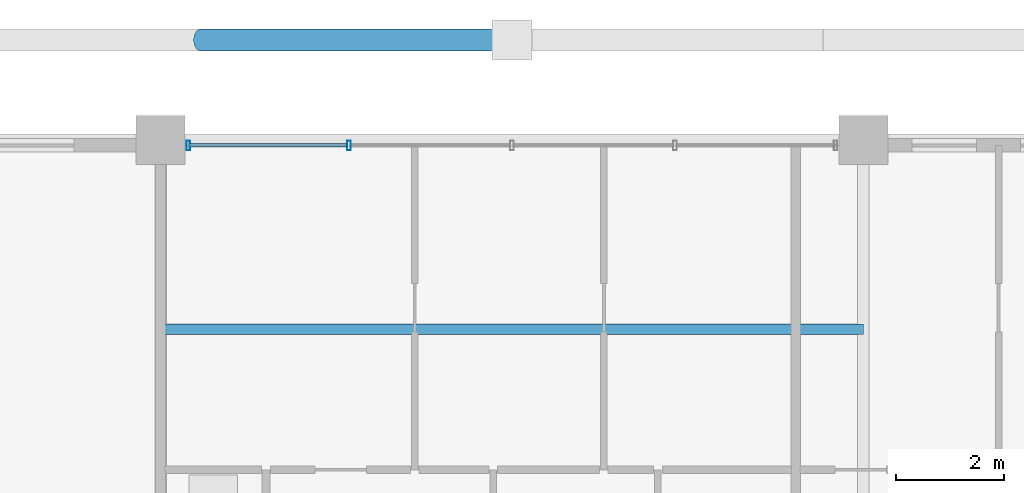
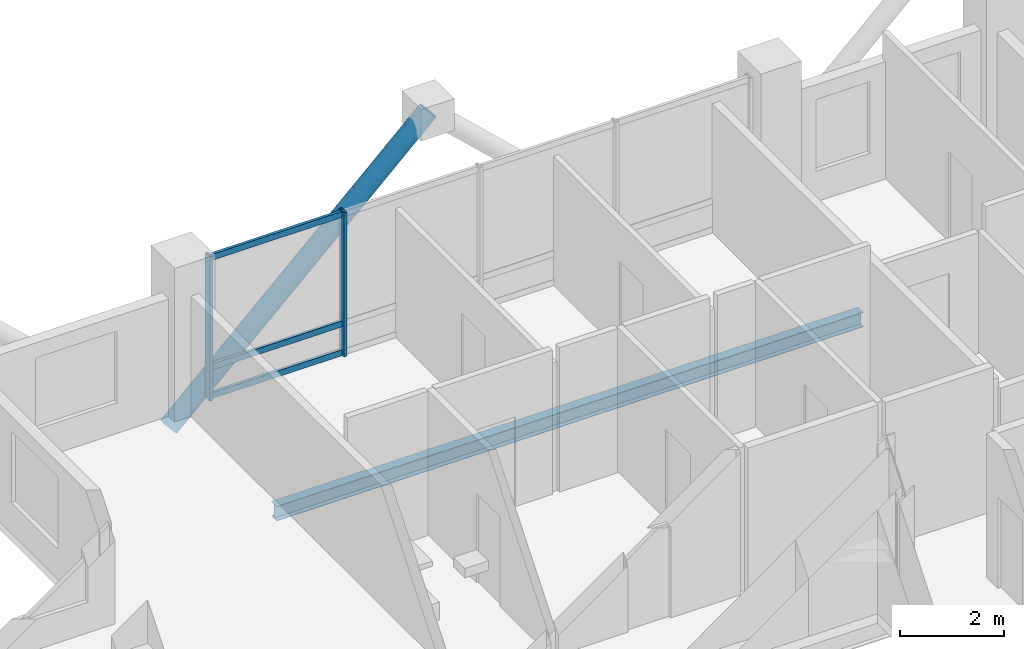
# One storey, part 14 of 23: 6 members, 1 beam, 1 element without a shape of its own.
"""IFC4 building model written with IfcOpenShell, lengths in metres."""

from ifc_helpers import new_model, si_unit, direction, frame, origin, origin_2d, place, context, subcontext, project, spatial, hollow_rectangle, hollow_circle, i_section, extrude, material, layer, layer_set, material_profile, profile_set, type_object, element, aggregate, save


model = new_model("IFC4")

# Units and contexts
model_context = context("Model", 3, precision=1e-05, world=origin(), true_north=direction((0.0, 1.0)))
body_context = subcontext(model_context, "Body", "Model", "MODEL_VIEW")
ifc_project = project(units=[si_unit("LENGTHUNIT", "METRE"), si_unit("AREAUNIT", "SQUARE_METRE"), si_unit("VOLUMEUNIT", "CUBIC_METRE"), si_unit("PLANEANGLEUNIT", "RADIAN"), si_unit("MASSUNIT", "GRAM", prefix="KILO")], contexts=[model_context])

# Site, building, storey
site_placement = place(None, origin())
site = spatial("IfcSite", under=ifc_project, at=site_placement, CompositionType="ELEMENT")
building_placement = place(site_placement, origin())
building = spatial("IfcBuilding", under=site, at=building_placement, Name="Barlavira Tower and Art Museum", CompositionType="ELEMENT")
storey_placement = place(building_placement, frame((0.0, 0.0, 279.89990234375)))
storey = spatial("IfcBuildingStorey", under=building, at=storey_placement, Name="L73", CompositionType="ELEMENT", Elevation=279.89990234375)

# Curtain wall, members
ifc_material_1 = material(Name="Low-iron coastal laminated glass", Category="glass")
ifc_layer = layer(ifc_material_1, 0.2099609375, Name="Low-iron coastal laminated glass")
ifc_layer_set = layer_set([ifc_layer], Name="Low-iron coastal laminated glass")
curtain_wall_type = type_object("IfcCurtainWallType", Name="Pale-Metal Unitised Curtain Wall Zone 4", PredefinedType="NOTDEFINED", material=ifc_layer_set)
curtain_wall_placement = place(storey_placement, origin())
curtain_wall = element("IfcCurtainWall", 1, at=curtain_wall_placement, inside=storey, type_object=curtain_wall_type, Name="L73 Curtain Wall CW4-L73-N-B2", PredefinedType="NOTDEFINED")
ifc_material_2 = material(Name="Pale anodised aluminium", Category="aluminium")
ifc_material_profile_1 = material_profile(ifc_material_2, hollow_rectangle(XDim=0.06494140625, YDim=0.179931640625, WallThickness=0.00390625, at=origin_2d()), Name="ALU-MULL 65x180x4")
ifc_profile_set_1 = profile_set([ifc_material_profile_1], Name="Pale anodised aluminium")
member_type_1 = type_object("IfcMemberType", Name="Curtain Wall Pale-Metal Mullion 65x180", PredefinedType="MULLION", material=ifc_profile_set_1)
member_1_placement = place(storey_placement, frame((-3.014892578125, 19.89990234375, 0.0), z_axis=(0.0, 0.0, 1.0), x_axis=(-1.0, 0.0, 0.0)))
member_1 = element("IfcMember", 2, at=member_1_placement, type_object=member_type_1, Name="CW4-L73-N-B2 Mullion 3", PredefinedType="MULLION", context=body_context, shape_type="SweptSolid", body=[
    extrude(hollow_rectangle(XDim=0.06494140625, YDim=0.179931640625, WallThickness=0.00390625, at=origin_2d()), origin(), (0.0, 0.0, 1.0), 3.380126953125),
])
member_2_placement = place(storey_placement, frame((-5.985107421875, 19.89990234375, 0.0), z_axis=(0.0, 0.0, 1.0), x_axis=(-1.0, 0.0, 0.0)))
member_2 = element("IfcMember", 3, at=member_2_placement, type_object=member_type_1, Name="CW4-L73-N-B2 Mullion 4", PredefinedType="MULLION", context=body_context, shape_type="SweptSolid", body=[
    extrude(hollow_rectangle(XDim=0.06494140625, YDim=0.179931640625, WallThickness=0.00390625, at=origin_2d()), origin(), (0.0, 0.0, 1.0), 3.380126953125),
])
ifc_material_profile_2 = material_profile(ifc_material_2, hollow_rectangle(XDim=0.06494140625, YDim=0.139892578125, WallThickness=0.00390625, at=origin_2d()), Name="ALU-TRAN 65x140x4")
ifc_profile_set_2 = profile_set([ifc_material_profile_2], Name="Pale anodised aluminium")
member_type_2 = type_object("IfcMemberType", Name="Curtain Wall Pale-Metal Transom 65x140", PredefinedType="USERDEFINED", material=ifc_profile_set_2)
member_3_placement = place(storey_placement, frame((-3.06005859375, 19.89990234375, 0.070068359375), z_axis=(-1.0, 0.0, 0.0), x_axis=(0.0, -1.0, 0.0)))
member_3 = element("IfcMember", 4, at=member_3_placement, type_object=member_type_2, Name="CW4-L73-N-B2 Transom 3.1", ObjectType="TRANSOM", PredefinedType="USERDEFINED", context=body_context, shape_type="SweptSolid", body=[
    extrude(hollow_rectangle(XDim=0.06494140625, YDim=0.139892578125, WallThickness=0.00390625, at=origin_2d()), origin(), (0.0, 0.0, 1.0), 2.925048828125),
])
member_4_placement = place(storey_placement, frame((-3.06005859375, 19.89990234375, 0.744140625), z_axis=(-1.0, 0.0, 0.0), x_axis=(0.0, -1.0, 0.0)))
member_4 = element("IfcMember", 5, at=member_4_placement, type_object=member_type_2, Name="CW4-L73-N-B2 Transom 3.2", ObjectType="TRANSOM", PredefinedType="USERDEFINED", context=body_context, shape_type="SweptSolid", body=[
    extrude(hollow_rectangle(XDim=0.06494140625, YDim=0.139892578125, WallThickness=0.00390625, at=origin_2d()), origin(), (0.0, 0.0, 1.0), 2.925048828125),
])
member_5_placement = place(storey_placement, frame((-3.06005859375, 19.89990234375, 3.31005859375), z_axis=(-1.0, 0.0, 0.0), x_axis=(0.0, -1.0, 0.0)))
member_5 = element("IfcMember", 6, at=member_5_placement, type_object=member_type_2, Name="CW4-L73-N-B2 Transom 3.3", ObjectType="TRANSOM", PredefinedType="USERDEFINED", context=body_context, shape_type="SweptSolid", body=[
    extrude(hollow_rectangle(XDim=0.06494140625, YDim=0.139892578125, WallThickness=0.00390625, at=origin_2d()), origin(), (0.0, 0.0, 1.0), 2.925048828125),
])
aggregate(curtain_wall, [member_1, member_2, member_3, member_4, member_5])

# Member
ifc_material_3 = material(Name="Steel S355", Category="steel")
ifc_material_profile_3 = material_profile(ifc_material_3, hollow_circle(Radius=0.203125, WallThickness=0.01611328125, at=origin_2d()), Name="CHS 406.4x16.0")
ifc_profile_set_3 = profile_set([ifc_material_profile_3], Name="Steel S355")
member_type_3 = type_object("IfcMemberType", Name="Pale-Metal Exoskeleton Diagrid Tube CHS 406x16 Steel S355", PredefinedType="BRACE", material=ifc_profile_set_3)
member_6_placement = place(storey_placement, frame((-5.75, 21.85009765625, -1.919921875), z_axis=(0.728950095515, 0.0, 0.684566839869), x_axis=(0.0, 1.0, 0.0)))
element("IfcMember", 7, at=member_6_placement, inside=storey, type_object=member_type_3, Name="L73 Exoskeleton Diagrid Tube N", PredefinedType="BRACE", context=body_context, shape_type="SweptSolid", body=[
    extrude(hollow_circle(Radius=0.203125, WallThickness=0.01611328125, at=origin_2d()), origin(), (0.0, 0.0, 1.0), 7.887939453125),
])

# Beam
ifc_material_profile_4 = material_profile(ifc_material_3, i_section(OverallWidth=0.202880859375, OverallDepth=0.346923828125, WebThickness=0.0078125, FlangeThickness=0.013427734375, at=origin_2d()), Name="W360x64.0")
ifc_profile_set_4 = profile_set([ifc_material_profile_4], Name="Steel S355")
beam_type = type_object("IfcBeamType", Name="Zone 4 Composite Floor Joist W360x64 Steel S355", PredefinedType="JOIST", material=ifc_profile_set_4)
beam_placement = place(storey_placement, frame((-6.5, 16.5, -0.393310546875), z_axis=(1.0, 0.0, 0.0), x_axis=(0.0, 1.0, 0.0)))
element("IfcBeam", 8, at=beam_placement, inside=storey, type_object=beam_type, Name="L73 Joist C2", PredefinedType="JOIST", context=body_context, shape_type="SweptSolid", body=[
    extrude(i_section(OverallWidth=0.202880859375, OverallDepth=0.346923828125, WebThickness=0.0078125, FlangeThickness=0.013427734375, at=origin_2d()), origin(), (0.0, 0.0, 1.0), 13.0),
])

save(model, "model.ifc")
